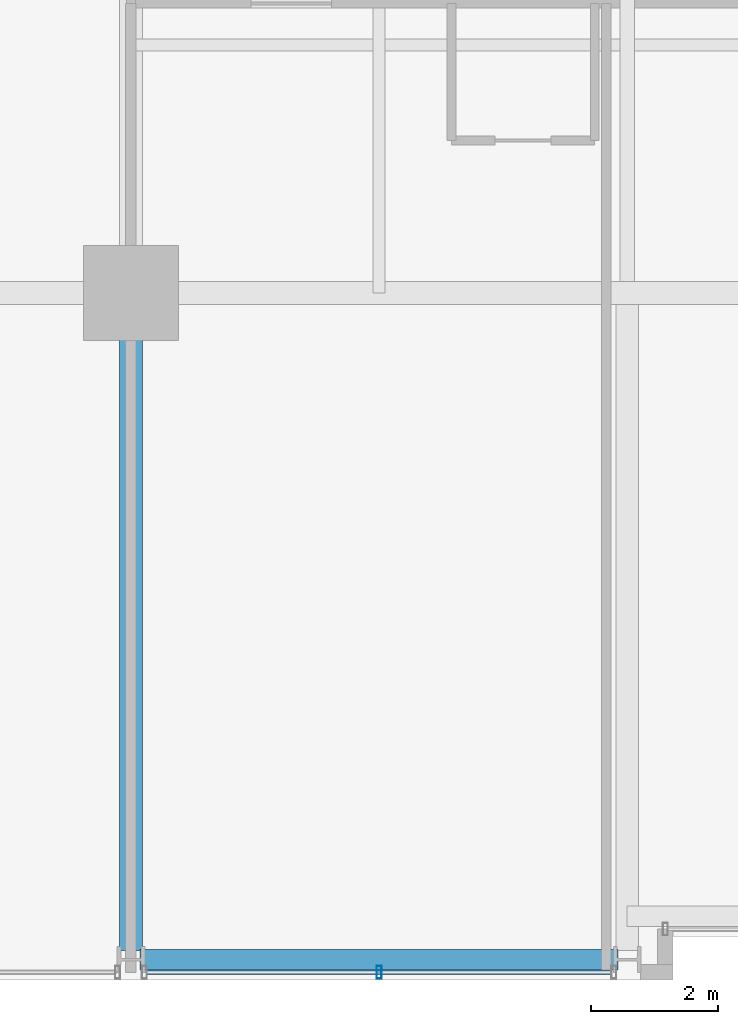
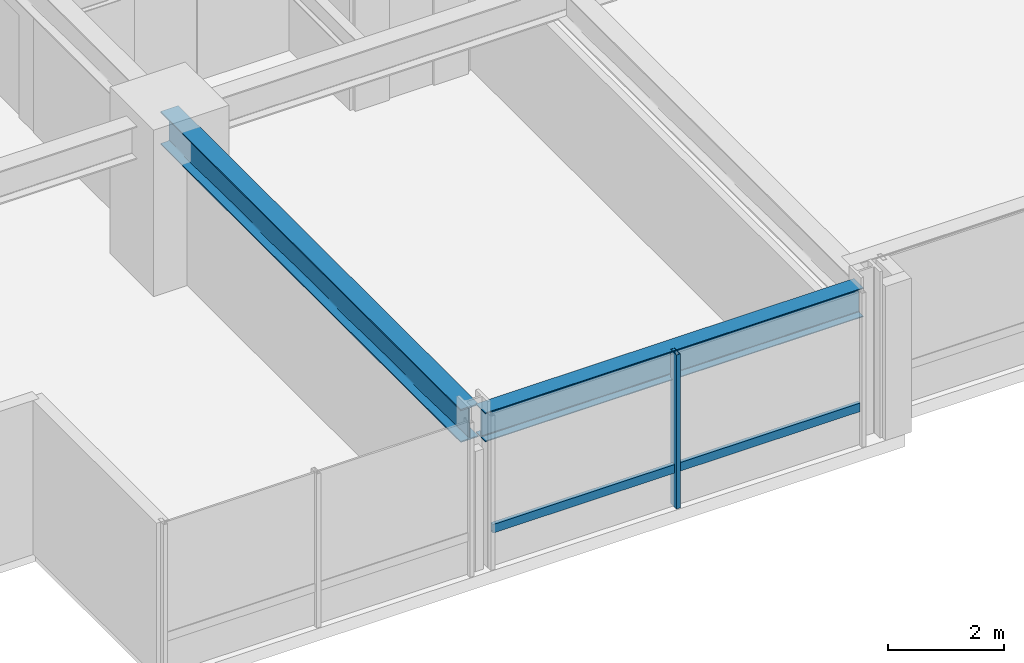
# One storey, part 3 of 35: 2 beams, 2 members, 1 element without a shape of its own.
"""IFC4 building model written with IfcOpenShell, lengths in metres."""

from ifc_helpers import new_model, si_unit, direction, frame, origin, origin_2d, place, context, subcontext, project, spatial, hollow_rectangle, i_section, extrude, material, layer, layer_set, material_profile, profile_set, type_object, element, aggregate, save


model = new_model("IFC4")

# Units and contexts
model_context = context("Model", 3, precision=1e-05, world=origin(), true_north=direction((0.0, 1.0)))
body_context = subcontext(model_context, "Body", "Model", "MODEL_VIEW")
ifc_project = project(units=[si_unit("LENGTHUNIT", "METRE"), si_unit("AREAUNIT", "SQUARE_METRE"), si_unit("VOLUMEUNIT", "CUBIC_METRE"), si_unit("PLANEANGLEUNIT", "RADIAN"), si_unit("MASSUNIT", "GRAM", prefix="KILO")], contexts=[model_context])

# Site, building, storey
site_placement = place(None, origin())
site = spatial("IfcSite", under=ifc_project, at=site_placement, CompositionType="ELEMENT")
building_placement = place(site_placement, origin())
building = spatial("IfcBuilding", under=site, at=building_placement, Name="Drelvath Grand Hotel", CompositionType="ELEMENT")
storey_placement = place(building_placement, frame((0.0, 0.0, 123.300048828125)))
storey = spatial("IfcBuildingStorey", under=building, at=storey_placement, Name="L31", CompositionType="ELEMENT", Elevation=123.300048828125)

# Curtain wall, members
ifc_material_1 = material(Name="Champagne Bronze Anodised Aluminium Frame", Category="aluminium")
ifc_layer = layer(ifc_material_1, 0.199951171875)
ifc_layer_set = layer_set([ifc_layer], Name="Champagne Bronze Anodised Aluminium Frame")
curtain_wall_type = type_object("IfcCurtainWallType", Name="Stick Curtain Wall CW-03 Champagne Bronze Mid-Rise", PredefinedType="NOTDEFINED", material=ifc_layer_set)
curtain_wall_placement = place(storey_placement, origin())
curtain_wall = element("IfcCurtainWall", 1, at=curtain_wall_placement, inside=storey, type_object=curtain_wall_type, Name="L31 CW-03 Curtain Wall CW03-L31-SW2", PredefinedType="NOTDEFINED")
ifc_material_profile_1 = material_profile(ifc_material_1, hollow_rectangle(XDim=0.074951171875, YDim=0.179931640625, WallThickness=0.0048828125, at=origin_2d()), Name="HSS180X75X5")
ifc_profile_set_1 = profile_set([ifc_material_profile_1], Name="Champagne Bronze Anodised Aluminium Frame")
member_type_1 = type_object("IfcMemberType", Name="Curtain Wall Horizontal Transom CW-03 HSS180X75X5", PredefinedType="USERDEFINED", material=ifc_profile_set_1)
member_1_placement = place(storey_placement, frame((-8.6494140625, 0.1201171875, 0.81005859375), z_axis=(-1.0, 0.0, 0.0), x_axis=(0.0, -1.0, 0.0)))
member_1 = element("IfcMember", 2, at=member_1_placement, type_object=member_type_1, Name="CW03-L31-SW2 Sill Transom", ObjectType="TRANSOM", PredefinedType="USERDEFINED", context=body_context, shape_type="SweptSolid", body=[
    extrude(hollow_rectangle(XDim=0.074951171875, YDim=0.179931640625, WallThickness=0.0048828125, at=origin_2d()), origin(), (0.0, 0.0, 1.0), 7.30126953125),
])
ifc_material_profile_2 = material_profile(ifc_material_1, hollow_rectangle(XDim=0.080078125, YDim=0.199951171875, WallThickness=0.0048828125, at=origin_2d()), Name="HSS200X80X5")
ifc_profile_set_2 = profile_set([ifc_material_profile_2], Name="Champagne Bronze Anodised Aluminium Frame")
member_type_2 = type_object("IfcMemberType", Name="Curtain Wall Vertical Mullion CW-03 HSS200X80X5", PredefinedType="MULLION", material=ifc_profile_set_2)
member_2_placement = place(storey_placement, frame((-12.300048828125, 0.1201171875, 0.0), z_axis=(0.0, 0.0, 1.0), x_axis=(1.0, 0.0, 0.0)))
member_2 = element("IfcMember", 3, at=member_2_placement, type_object=member_type_2, Name="CW03-L31-SW2 Mullion 2", PredefinedType="MULLION", context=body_context, shape_type="SweptSolid", body=[
    extrude(hollow_rectangle(XDim=0.080078125, YDim=0.199951171875, WallThickness=0.0048828125, at=origin_2d()), origin(), (0.0, 0.0, 1.0), 3.239990234375),
])
aggregate(curtain_wall, [member_2, member_1])

# Beams
ifc_material_2 = material(Name="Steel ASTM A992 Gr 50", Category="steel")
ifc_material_profile_3 = material_profile(ifc_material_2, i_section(OverallWidth=0.323974609375, OverallDepth=0.611083984375, WebThickness=0.0126953125, FlangeThickness=0.01904296875, FilletRadius=0.02197265625, at=origin_2d()), Name="W24X104")
ifc_profile_set_3 = profile_set([ifc_material_profile_3], Name="Steel ASTM A992 Gr 50")
beam_type_1 = type_object("IfcBeamType", Name="Perimeter Spandrel Beam W24X104", PredefinedType="SPANDREL", material=ifc_profile_set_3)
beam_1_placement = place(storey_placement, frame((-16.06005859375, 0.320068359375, 2.9345703125), z_axis=(1.0, 0.0, 0.0), x_axis=(0.0, 1.0, 0.0)))
element("IfcBeam", 4, at=beam_1_placement, inside=storey, type_object=beam_type_1, Name="L31 Spandrel South W", PredefinedType="SPANDREL", context=body_context, shape_type="SweptSolid", body=[
    extrude(i_section(OverallWidth=0.323974609375, OverallDepth=0.611083984375, WebThickness=0.0126953125, FlangeThickness=0.01904296875, FilletRadius=0.02197265625, at=origin_2d()), origin(), (0.0, 0.0, 1.0), 7.52001953125),
])
ifc_material_profile_4 = material_profile(ifc_material_2, i_section(OverallWidth=0.354736328125, OverallDepth=0.695556640625, WebThickness=0.015380859375, FlangeThickness=0.025146484375, FilletRadius=0.02392578125, at=origin_2d()), Name="W27X146")
ifc_profile_set_4 = profile_set([ifc_material_profile_4], Name="Steel ASTM A992 Gr 50")
beam_type_2 = type_object("IfcBeamType", Name="Primary Floor Girder W27X146", PredefinedType="BEAM", material=ifc_profile_set_4)
beam_2_placement = place(storey_placement, frame((-16.199951171875, 0.4599609375, 2.892333984375), z_axis=(0.0, 1.0, 0.0), x_axis=(-1.0, 0.0, 0.0)))
element("IfcBeam", 5, at=beam_2_placement, inside=storey, type_object=beam_type_2, Name="L31 South Grid Girder 3", PredefinedType="BEAM", context=body_context, shape_type="SweptSolid", body=[
    extrude(i_section(OverallWidth=0.354736328125, OverallDepth=0.695556640625, WebThickness=0.015380859375, FlangeThickness=0.025146484375, FilletRadius=0.02392578125, at=origin_2d()), origin(), (0.0, 0.0, 1.0), 10.340087890625),
])

save(model, "model.ifc")
